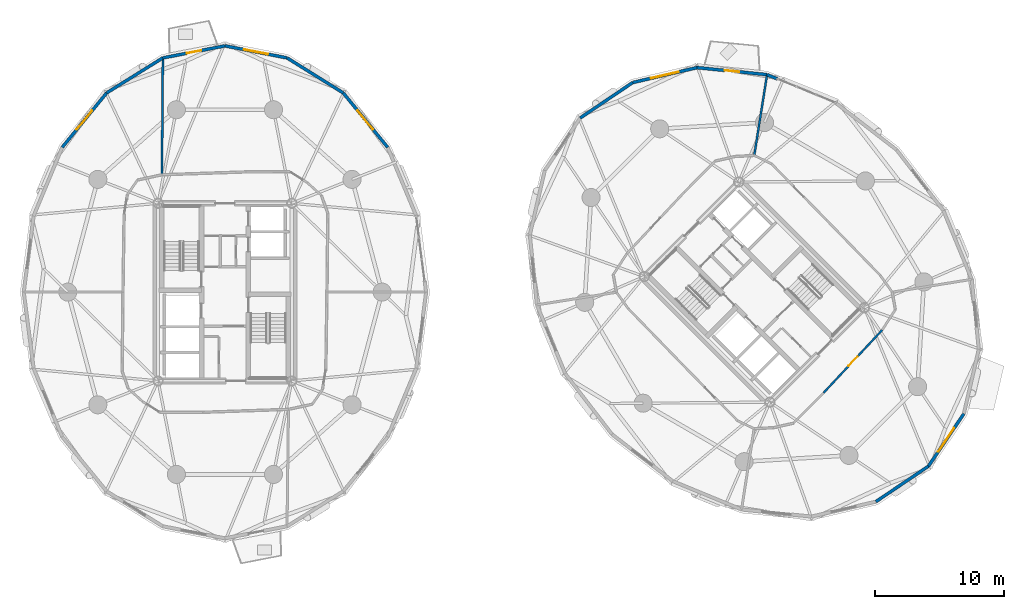
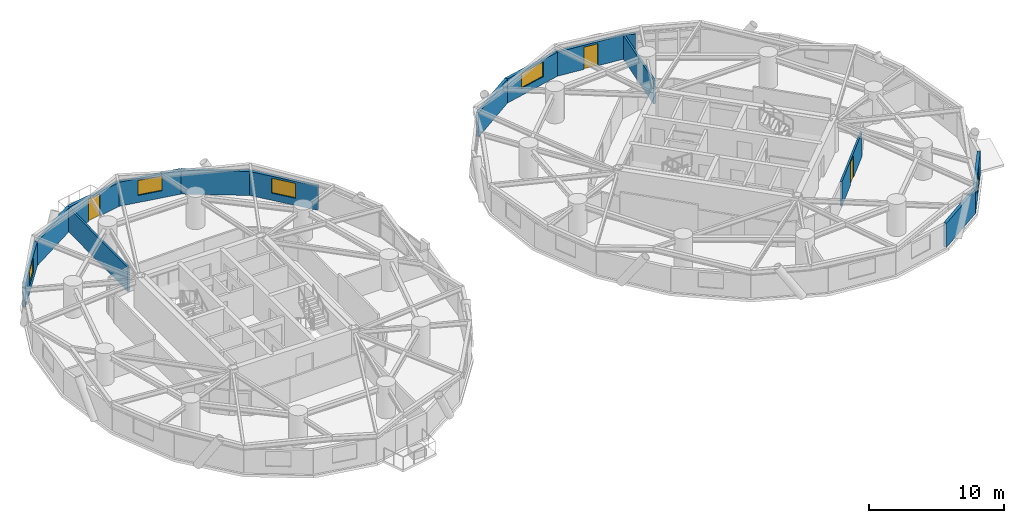
# One storey, part 13 of 17: 15 walls, 5 windows, 3 doors, 8 openings.
"""IFC4 building model written with IfcOpenShell, lengths in metres."""

from ifc_helpers import new_model, si_unit, direction, frame, frame_2d, origin, place, context, subcontext, project, spatial, rectangle, extrude, source, transform, mapped, material, layer, layer_set, type_object, element, fill, save


model = new_model("IFC4")

# Units and contexts
model_context = context("Model", 3, precision=1e-05, world=origin(), true_north=direction((0.0, 1.0)))
body_context = subcontext(model_context, "Body", "Model", "MODEL_VIEW")
ifc_project = project(units=[si_unit("LENGTHUNIT", "METRE"), si_unit("AREAUNIT", "SQUARE_METRE"), si_unit("VOLUMEUNIT", "CUBIC_METRE"), si_unit("PLANEANGLEUNIT", "RADIAN"), si_unit("MASSUNIT", "GRAM", prefix="KILO")], contexts=[model_context])

# Site, building, storey
site_placement = place(None, origin())
site = spatial("IfcSite", under=ifc_project, at=site_placement, CompositionType="ELEMENT")
building_placement = place(site_placement, origin())
building = spatial("IfcBuilding", under=site, at=building_placement, Name="Cununo Teusaquillo Station Towers", CompositionType="ELEMENT")
storey_placement = place(building_placement, frame((0.0, 0.0, 70.14990234375)))
storey = spatial("IfcBuildingStorey", under=building, at=storey_placement, Name="L21", CompositionType="ELEMENT", Elevation=70.14990234375)

# Wall, opening, window
ifc_material_1 = material(Name="Precast concrete C40/50", Category="concrete")
ifc_layer_1 = layer(ifc_material_1, 0.239990234375)
ifc_layer_set_1 = layer_set([ifc_layer_1], Name="Precast concrete C40/50")
wall_type_1 = type_object("IfcWallType", Name="WL-EXT-240", PredefinedType="SOLIDWALL", material=ifc_layer_set_1)
wall_1_placement = place(storey_placement, frame((25.658203125, 39.927978515625, 0.0), z_axis=(0.0, 0.0, 1.0), x_axis=(0.632700781152, -0.77439635945, 0.0)))
wall_1 = element("IfcWall", 1, at=wall_1_placement, inside=storey, type_object=wall_type_1, Name="L21 Tower A Exterior Facade Wall C02", PredefinedType="SOLIDWALL", context=body_context, shape_type="SweptSolid", body=[
    extrude(rectangle(XDim=5.447998046875, YDim=0.239990234375, at=frame_2d((2.72412109375, 0.0))), origin(), (0.0, 0.0, 1.0), 2.17919921875),
])
shared_shape_1 = source(origin(), body_context, "Body", "SweptSolid", [
    extrude(rectangle(XDim=1.89990234375, YDim=1.35009765625, at=frame_2d((0.949951171875, 0.675048828125))), frame((0.0, 0.1298828125, 0.0), z_axis=(0.0, -1.0, 0.0), x_axis=(1.0, 0.0, 0.0)), (0.0, 0.0, 1.0), 0.260009765625),
])
opening_1_placement = place(wall_1_placement, frame((1.77392578125, 0.0, 0.64990234375)))
opening_1 = element("IfcOpeningElement", 2, at=opening_1_placement, cuts=wall_1, Name="Opening WN-02", PredefinedType="OPENING", context=body_context, shape_type="MappedRepresentation", body=[
    mapped(shared_shape_1, transform((0.0, 0.0, 0.0), x_axis=(1.0, 0.0, 0.0), y_axis=(0.0, 1.0, 0.0), z_axis=(0.0, 0.0, 1.0), scale=1.0)),
])
ifc_material_2 = material(Name="Operable acoustic tinted low-E double glazing", Category="glass")
window_type_1 = type_object("IfcWindowType", Name="WIN-OPER-1900", PartitioningType="DOUBLE_PANEL_VERTICAL", PredefinedType="WINDOW", material=ifc_material_2)
shared_shape_2 = source(origin(), body_context, "Body", "SweptSolid", [
    extrude(rectangle(XDim=1.89990234375, YDim=1.35009765625, at=frame_2d((0.949951171875, 0.675048828125))), frame((0.0, 0.030029296875, 0.0), z_axis=(0.0, -1.0, 0.0), x_axis=(1.0, 0.0, 0.0)), (0.0, 0.0, 1.0), 0.06005859375),
])
window_1_placement = place(opening_1_placement, origin())
window_1 = element("IfcWindow", 3, at=window_1_placement, inside=storey, type_object=window_type_1, Name="L21 Tower A Facade Window C02", OverallHeight=1.35009765625, OverallWidth=1.89990234375, PartitioningType="DOUBLE_PANEL_VERTICAL", PredefinedType="WINDOW", context=body_context, shape_type="MappedRepresentation", body=[
    mapped(shared_shape_2, transform((0.0, 0.0, 0.0), x_axis=(1.0, 0.0, 0.0), y_axis=(0.0, 1.0, 0.0), z_axis=(0.0, 0.0, 1.0), scale=1.0)),
])
fill(opening_1, window_1)

# Wall
wall_2_placement = place(storey_placement, frame((21.314697265625, 42.63671875, 0.0), z_axis=(0.0, 0.0, 1.0), x_axis=(0.848520380187, -0.529162701263, 0.0)))
element("IfcWall", 4, at=wall_2_placement, inside=storey, type_object=wall_type_1, Name="L21 Tower A Exterior Facade Wall C03", PredefinedType="SOLIDWALL", context=body_context, shape_type="SweptSolid", body=[
    extrude(rectangle(XDim=5.118896484375, YDim=0.239990234375, at=frame_2d((2.5595703125, 0.0))), origin(), (0.0, 0.0, 1.0), 2.17919921875),
])

# Wall, opening, window
wall_3_placement = place(storey_placement, frame((16.5, 43.570068359375, 0.0), z_axis=(0.0, 0.0, 1.0), x_axis=(0.981723785992, -0.190311344954, 0.0)))
wall_3 = element("IfcWall", 5, at=wall_3_placement, inside=storey, type_object=wall_type_1, Name="L21 Tower A Exterior Facade Wall C04", PredefinedType="SOLIDWALL", context=body_context, shape_type="SweptSolid", body=[
    extrude(rectangle(XDim=4.904296875, YDim=0.239990234375, at=frame_2d((2.4521484375, 0.0))), origin(), (0.0, 0.0, 1.0), 2.17919921875),
])
opening_2_placement = place(wall_3_placement, frame((1.501953125, 0.0, 0.64990234375)))
opening_2 = element("IfcOpeningElement", 6, at=opening_2_placement, cuts=wall_3, Name="Opening WN-02", PredefinedType="OPENING", context=body_context, shape_type="MappedRepresentation", body=[
    mapped(shared_shape_1, transform((0.0, 0.0, 0.0), x_axis=(1.0, 0.0, 0.0), y_axis=(0.0, 1.0, 0.0), z_axis=(0.0, 0.0, 1.0), scale=1.0)),
])
window_2_placement = place(opening_2_placement, origin())
window_2 = element("IfcWindow", 7, at=window_2_placement, inside=storey, type_object=window_type_1, Name="L21 Tower A Facade Window C04", OverallHeight=1.35009765625, OverallWidth=1.89990234375, PartitioningType="DOUBLE_PANEL_VERTICAL", PredefinedType="WINDOW", context=body_context, shape_type="MappedRepresentation", body=[
    mapped(shared_shape_2, transform((0.0, 0.0, 0.0), x_axis=(1.0, 0.0, 0.0), y_axis=(0.0, 1.0, 0.0), z_axis=(0.0, 0.0, 1.0), scale=1.0)),
])
fill(opening_2, window_2)

# Wall, opening, door
wall_4_placement = place(storey_placement, frame((11.685302734375, 42.63671875, 0.0), z_axis=(0.0, 0.0, 1.0), x_axis=(0.981723785992, 0.190311344954, 0.0)))
wall_4 = element("IfcWall", 8, at=wall_4_placement, inside=storey, type_object=wall_type_1, Name="L21 Tower A Exterior Facade Wall C05", PredefinedType="SOLIDWALL", context=body_context, shape_type="SweptSolid", body=[
    extrude(rectangle(XDim=4.904296875, YDim=0.239990234375, at=frame_2d((2.4521484375, 0.0))), origin(), (0.0, 0.0, 1.0), 2.17919921875),
])
shared_shape_3 = source(origin(), body_context, "Body", "SweptSolid", [
    extrude(rectangle(XDim=1.14990234375, YDim=2.0048828125, at=frame_2d((0.574951171875, 1.00244140625))), frame((0.0, 0.1298828125, 0.0), z_axis=(0.0, -1.0, 0.0), x_axis=(1.0, 0.0, 0.0)), (0.0, 0.0, 1.0), 0.260009765625),
])
opening_3_placement = place(wall_4_placement, frame((1.876953125, 0.0, 0.0)))
opening_3 = element("IfcOpeningElement", 9, at=opening_3_placement, cuts=wall_4, Name="Opening ED-03", PredefinedType="OPENING", context=body_context, shape_type="MappedRepresentation", body=[
    mapped(shared_shape_3, transform((0.0, 0.0, 0.0), x_axis=(1.0, 0.0, 0.0), y_axis=(0.0, 1.0, 0.0), z_axis=(0.0, 0.0, 1.0), scale=1.0)),
])
ifc_material_3 = material(Name="Anodised dark bronze aluminium EN AW-6063-T6", Category="aluminium")
door_type_1 = type_object("IfcDoorType", Name="DR-EXT-BAL", OperationType="NOTDEFINED", PredefinedType="DOOR", material=ifc_material_3)
shared_shape_4 = source(origin(), body_context, "Body", "SweptSolid", [
    extrude(rectangle(XDim=1.14990234375, YDim=2.0048828125, at=frame_2d((0.574951171875, 1.00244140625))), frame((0.0, 0.02490234375, 0.0), z_axis=(0.0, -1.0, 0.0), x_axis=(1.0, 0.0, 0.0)), (0.0, 0.0, 1.0), 0.050048828125),
])
door_1_placement = place(opening_3_placement, origin())
door_1 = element("IfcDoor", 10, at=door_1_placement, inside=storey, type_object=door_type_1, Name="L21 Tower A Tree Balcony Door C05", OperationType="SINGLE_SWING_LEFT", OverallHeight=2.0048828125, OverallWidth=1.14990234375, PredefinedType="DOOR", context=body_context, shape_type="MappedRepresentation", body=[
    mapped(shared_shape_4, transform((0.0, 0.0, 0.0), x_axis=(1.0, 0.0, 0.0), y_axis=(0.0, 1.0, 0.0), z_axis=(0.0, 0.0, 1.0), scale=1.0)),
])
fill(opening_3, door_1)

# Wall
wall_5_placement = place(storey_placement, frame((7.341796875, 39.927978515625, 0.0), z_axis=(0.0, 0.0, 1.0), x_axis=(0.848520380187, 0.529162701263, 0.0)))
element("IfcWall", 11, at=wall_5_placement, inside=storey, type_object=wall_type_1, Name="L21 Tower A Exterior Facade Wall C06", PredefinedType="SOLIDWALL", context=body_context, shape_type="SweptSolid", body=[
    extrude(rectangle(XDim=5.118896484375, YDim=0.239990234375, at=frame_2d((2.5595703125, 0.0))), origin(), (0.0, 0.0, 1.0), 2.17919921875),
])

# Wall, opening, window
wall_6_placement = place(storey_placement, frame((3.894775390625, 35.708984375, 0.0), z_axis=(0.0, 0.0, 1.0), x_axis=(0.632700781152, 0.77439635945, 0.0)))
wall_6 = element("IfcWall", 12, at=wall_6_placement, inside=storey, type_object=wall_type_1, Name="L21 Tower A Exterior Facade Wall C07", PredefinedType="SOLIDWALL", context=body_context, shape_type="SweptSolid", body=[
    extrude(rectangle(XDim=5.447998046875, YDim=0.239990234375, at=frame_2d((2.72412109375, 0.0))), origin(), (0.0, 0.0, 1.0), 2.17919921875),
])
opening_4_placement = place(wall_6_placement, frame((1.77392578125, 0.0, 0.64990234375)))
opening_4 = element("IfcOpeningElement", 13, at=opening_4_placement, cuts=wall_6, Name="Opening WN-02", PredefinedType="OPENING", context=body_context, shape_type="MappedRepresentation", body=[
    mapped(shared_shape_1, transform((0.0, 0.0, 0.0), x_axis=(1.0, 0.0, 0.0), y_axis=(0.0, 1.0, 0.0), z_axis=(0.0, 0.0, 1.0), scale=1.0)),
])
window_3_placement = place(opening_4_placement, origin())
window_3 = element("IfcWindow", 14, at=window_3_placement, inside=storey, type_object=window_type_1, Name="L21 Tower A Facade Window C07", OverallHeight=1.35009765625, OverallWidth=1.89990234375, PartitioningType="DOUBLE_PANEL_VERTICAL", PredefinedType="WINDOW", context=body_context, shape_type="MappedRepresentation", body=[
    mapped(shared_shape_2, transform((0.0, 0.0, 0.0), x_axis=(1.0, 0.0, 0.0), y_axis=(0.0, 1.0, 0.0), z_axis=(0.0, 0.0, 1.0), scale=1.0)),
])
fill(opening_4, window_3)

# Wall
wall_7_placement = place(storey_placement, frame((58.4873046875, 41.33935546875, 0.0), z_axis=(0.0, 0.0, 1.0), x_axis=(0.924556017656, -0.381046152345, 0.0)))
element("IfcWall", 15, at=wall_7_placement, inside=storey, type_object=wall_type_1, Name="L21 Tower B Column Pier Cladding Wall C01-PA", PredefinedType="SOLIDWALL", context=body_context, shape_type="SweptSolid", body=[
    extrude(rectangle(XDim=0.8701171875, YDim=0.239990234375, at=frame_2d((0.43505859375, 0.0))), origin(), (0.0, 0.0, 1.0), 2.17919921875),
])

# Wall, opening, door
wall_8_placement = place(storey_placement, frame((53.066650390625, 41.885009765625, 0.0), z_axis=(0.0, 0.0, 1.0), x_axis=(0.994971754311, -0.10015591906, 0.0)))
wall_8 = element("IfcWall", 16, at=wall_8_placement, inside=storey, type_object=wall_type_1, Name="L21 Tower B Exterior Facade Wall C02", PredefinedType="SOLIDWALL", context=body_context, shape_type="SweptSolid", body=[
    extrude(rectangle(XDim=5.447998046875, YDim=0.239990234375, at=frame_2d((2.72412109375, 0.0))), origin(), (0.0, 0.0, 1.0), 2.17919921875),
])
opening_5_placement = place(wall_8_placement, frame((2.14892578125, 0.0, 0.0)))
opening_5 = element("IfcOpeningElement", 17, at=opening_5_placement, cuts=wall_8, Name="Opening ED-03", PredefinedType="OPENING", context=body_context, shape_type="MappedRepresentation", body=[
    mapped(shared_shape_3, transform((0.0, 0.0, 0.0), x_axis=(1.0, 0.0, 0.0), y_axis=(0.0, 1.0, 0.0), z_axis=(0.0, 0.0, 1.0), scale=1.0)),
])
door_2_placement = place(opening_5_placement, origin())
door_2 = element("IfcDoor", 18, at=door_2_placement, inside=storey, type_object=door_type_1, Name="L21 Tower B Tree Balcony Door C02", OperationType="SINGLE_SWING_LEFT", OverallHeight=2.0048828125, OverallWidth=1.14990234375, PredefinedType="DOOR", context=body_context, shape_type="MappedRepresentation", body=[
    mapped(shared_shape_4, transform((0.0, 0.0, 0.0), x_axis=(1.0, 0.0, 0.0), y_axis=(0.0, 1.0, 0.0), z_axis=(0.0, 0.0, 1.0), scale=1.0)),
])
fill(opening_5, door_2)

# Wall, opening, window
wall_9_placement = place(storey_placement, frame((48.080078125, 40.72900390625, 0.0), z_axis=(0.0, 0.0, 1.0), x_axis=(0.974165631126, 0.225834725257, 0.0)))
wall_9 = element("IfcWall", 19, at=wall_9_placement, inside=storey, type_object=wall_type_1, Name="L21 Tower B Exterior Facade Wall C03", PredefinedType="SOLIDWALL", context=body_context, shape_type="SweptSolid", body=[
    extrude(rectangle(XDim=5.118896484375, YDim=0.239990234375, at=frame_2d((2.5595703125, 0.0))), origin(), (0.0, 0.0, 1.0), 2.17919921875),
])
shared_shape_5 = source(origin(), body_context, "Body", "SweptSolid", [
    extrude(rectangle(XDim=2.199951171875, YDim=1.35009765625, at=frame_2d((1.10009765625, 0.675048828125))), frame((0.0, 0.1298828125, 0.0), z_axis=(0.0, -1.0, 0.0), x_axis=(1.0, 0.0, 0.0)), (0.0, 0.0, 1.0), 0.260009765625),
])
opening_6_placement = place(wall_9_placement, frame((1.458984375, 0.0, 0.64990234375)))
opening_6 = element("IfcOpeningElement", 20, at=opening_6_placement, cuts=wall_9, Name="Opening WN-01", PredefinedType="OPENING", context=body_context, shape_type="MappedRepresentation", body=[
    mapped(shared_shape_5, transform((0.0, 0.0, 0.0), x_axis=(1.0, 0.0, 0.0), y_axis=(0.0, 1.0, 0.0), z_axis=(0.0, 0.0, 1.0), scale=1.0)),
])
ifc_material_4 = material(Name="Ceramic-fritted dark low-E double glazing", Category="glass")
window_type_2 = type_object("IfcWindowType", Name="WIN-FRIT-2200", PartitioningType="DOUBLE_PANEL_VERTICAL", PredefinedType="WINDOW", material=ifc_material_4)
shared_shape_6 = source(origin(), body_context, "Body", "SweptSolid", [
    extrude(rectangle(XDim=2.199951171875, YDim=1.35009765625, at=frame_2d((1.10009765625, 0.675048828125))), frame((0.0, 0.030029296875, 0.0), z_axis=(0.0, -1.0, 0.0), x_axis=(1.0, 0.0, 0.0)), (0.0, 0.0, 1.0), 0.06005859375),
])
window_4_placement = place(opening_6_placement, origin())
window_4 = element("IfcWindow", 21, at=window_4_placement, inside=storey, type_object=window_type_2, Name="L21 Tower B Facade Window C03", OverallHeight=1.35009765625, OverallWidth=2.199951171875, PartitioningType="DOUBLE_PANEL_VERTICAL", PredefinedType="WINDOW", context=body_context, shape_type="MappedRepresentation", body=[
    mapped(shared_shape_6, transform((0.0, 0.0, 0.0), x_axis=(1.0, 0.0, 0.0), y_axis=(0.0, 1.0, 0.0), z_axis=(0.0, 0.0, 1.0), scale=1.0)),
])
fill(opening_6, window_4)

# Walls
for number, where, z_axis, x_axis, name in (
    (22, (44.015380859375, 37.984619140625, 0.0), (0.0, 0.0, 1.0), (0.828781148131, 0.559572880421, 0.0), "L21 Tower B Exterior Facade Wall C04"),
    (23, (70.984619140625, 11.015380859375, 0.0), (0.0, 0.0, 1.0), (-0.828781148131, -0.559572880421, 0.0), "L21 Tower B Exterior Facade Wall C14"),
):
    element("IfcWall", number, at=place(storey_placement, frame(where, z_axis=z_axis, x_axis=x_axis)), inside=storey, type_object=wall_type_1, Name=name, PredefinedType="SOLIDWALL", context=body_context, shape_type="SweptSolid", body=[
        extrude(rectangle(XDim=4.904541015625, YDim=0.239990234375, at=frame_2d((2.4521484375, 0.0))), origin(), (0.0, 0.0, 1.0), 2.17919921875),
    ])

# Wall, opening, window
wall_10_placement = place(storey_placement, frame((73.72900390625, 15.080078125, 0.0), z_axis=(0.0, 0.0, 1.0), x_axis=(-0.559572880421, -0.828781148131, 0.0)))
wall_10 = element("IfcWall", 24, at=wall_10_placement, inside=storey, type_object=wall_type_1, Name="L21 Tower B Exterior Facade Wall C15", PredefinedType="SOLIDWALL", context=body_context, shape_type="SweptSolid", body=[
    extrude(rectangle(XDim=4.904541015625, YDim=0.239990234375, at=frame_2d((2.4521484375, 0.0))), origin(), (0.0, 0.0, 1.0), 2.17919921875),
])
opening_7_placement = place(wall_10_placement, frame((1.35205078125, 0.0, 0.64990234375)))
opening_7 = element("IfcOpeningElement", 25, at=opening_7_placement, cuts=wall_10, Name="Opening WN-01", PredefinedType="OPENING", context=body_context, shape_type="MappedRepresentation", body=[
    mapped(shared_shape_5, transform((0.0, 0.0, 0.0), x_axis=(1.0, 0.0, 0.0), y_axis=(0.0, 1.0, 0.0), z_axis=(0.0, 0.0, 1.0), scale=1.0)),
])
window_5_placement = place(opening_7_placement, origin())
window_5 = element("IfcWindow", 26, at=window_5_placement, inside=storey, type_object=window_type_2, Name="L21 Tower B Facade Window C15", OverallHeight=1.35009765625, OverallWidth=2.199951171875, PartitioningType="DOUBLE_PANEL_VERTICAL", PredefinedType="WINDOW", context=body_context, shape_type="MappedRepresentation", body=[
    mapped(shared_shape_6, transform((0.0, 0.0, 0.0), x_axis=(1.0, 0.0, 0.0), y_axis=(0.0, 1.0, 0.0), z_axis=(0.0, 0.0, 1.0), scale=1.0)),
])
fill(opening_7, window_5)

# Wall, opening, door
ifc_material_5 = material(Name="Fire-rated gypsum plasterboard partition assembly", Category="gypsum")
ifc_layer_2 = layer(ifc_material_5, 0.14990234375)
ifc_layer_set_2 = layer_set([ifc_layer_2], Name="Fire-rated gypsum plasterboard partition assembly")
wall_type_2 = type_object("IfcWallType", Name="WL-PART-150", PredefinedType="PARTITIONING", material=ifc_layer_set_2)
wall_11_placement = place(storey_placement, frame((62.8671875, 16.70166015625, 0.0), z_axis=(0.0, 0.0, 1.0), x_axis=(0.682449206191, 0.73093302085, 0.0)))
wall_11 = element("IfcWall", 27, at=wall_11_placement, inside=storey, type_object=wall_type_2, Name="L21 Tower B Corridor Ring Wall C15", PredefinedType="PARTITIONING", context=body_context, shape_type="SweptSolid", body=[
    extrude(rectangle(XDim=6.641845703125, YDim=0.14990234375, at=frame_2d((3.32080078125, 0.0))), origin(), (0.0, 0.0, 1.0), 2.22509765625),
])
shared_shape_7 = source(origin(), body_context, "Body", "SweptSolid", [
    extrude(rectangle(XDim=1.0, YDim=2.014892578125, at=frame_2d((0.5, 1.00732421875))), frame((0.0, 0.0849609375, 0.0), z_axis=(0.0, -1.0, 0.0), x_axis=(1.0, 0.0, 0.0)), (0.0, 0.0, 1.0), 0.169921875),
])
opening_8_placement = place(wall_11_placement, frame((2.82080078125, 0.0, 0.0)))
opening_8 = element("IfcOpeningElement", 28, at=opening_8_placement, cuts=wall_11, Name="Opening D-AC1", PredefinedType="OPENING", context=body_context, shape_type="MappedRepresentation", body=[
    mapped(shared_shape_7, transform((0.0, 0.0, 0.0), x_axis=(1.0, 0.0, 0.0), y_axis=(0.0, 1.0, 0.0), z_axis=(0.0, 0.0, 1.0), scale=1.0)),
])
ifc_material_6 = material(Name="Acoustic solid-core hardwood leaf assembly", Category="wood")
door_type_2 = type_object("IfcDoorType", Name="DR-ACC-1000", OperationType="NOTDEFINED", PredefinedType="DOOR", material=ifc_material_6)
shared_shape_8 = source(origin(), body_context, "Body", "SweptSolid", [
    extrude(rectangle(XDim=1.0, YDim=2.014892578125, at=frame_2d((0.5, 1.00732421875))), frame((0.0, 0.02490234375, 0.0), z_axis=(0.0, -1.0, 0.0), x_axis=(1.0, 0.0, 0.0)), (0.0, 0.0, 1.0), 0.050048828125),
])
door_3_placement = place(opening_8_placement, origin())
door_3 = element("IfcDoor", 29, at=door_3_placement, inside=storey, type_object=door_type_2, Name="L21 Tower B Public Accessible Restroom WC Entrance Door", OperationType="SINGLE_SWING_LEFT", OverallHeight=2.014892578125, OverallWidth=1.0, PredefinedType="DOOR", context=body_context, shape_type="MappedRepresentation", body=[
    mapped(shared_shape_8, transform((0.0, 0.0, 0.0), x_axis=(1.0, 0.0, 0.0), y_axis=(0.0, 1.0, 0.0), z_axis=(0.0, 0.0, 1.0), scale=1.0)),
])
fill(opening_8, door_3)

# Walls
ifc_material_7 = material(Name="Fire-rated gypsum plasterboard partition assembly", Category="gypsum")
ifc_layer_3 = layer(ifc_material_7, 0.159912109375)
ifc_layer_set_3 = layer_set([ifc_layer_3], Name="Fire-rated gypsum plasterboard partition assembly")
wall_type_3 = type_object("IfcWallType", Name="WL-PART-160", PredefinedType="PARTITIONING", material=ifc_layer_set_3)
wall_12_placement = place(storey_placement, frame((11.619873046875, 33.587890625, 0.0), z_axis=(0.0, 0.0, 1.0), x_axis=(0.007921667836, 0.999968623097, 0.0)))
element("IfcWall", 30, at=wall_12_placement, inside=storey, type_object=wall_type_3, Name="L21 Tower A Radial Suite Partition R02", PredefinedType="PARTITIONING", context=body_context, shape_type="SweptSolid", body=[
    extrude(rectangle(XDim=9.030029296875, YDim=0.159912109375, at=frame_2d((4.51513671875, 0.0))), origin(), (0.0, 0.0, 1.0), 2.17919921875),
])
wall_13_placement = place(storey_placement, frame((57.4951171875, 35.082763671875, 0.0), z_axis=(0.0, 0.0, 1.0), x_axis=(0.156619688156, 0.987658986332, 0.0)))
element("IfcWall", 31, at=wall_13_placement, inside=storey, type_object=wall_type_3, Name="L21 Tower B Radial Suite Partition R01", PredefinedType="PARTITIONING", context=body_context, shape_type="SweptSolid", body=[
    extrude(rectangle(XDim=6.314697265625, YDim=0.159912109375, at=frame_2d((3.1572265625, 0.0))), origin(), (0.0, 0.0, 1.0), 2.17919921875),
])

save(model, "model.ifc")
